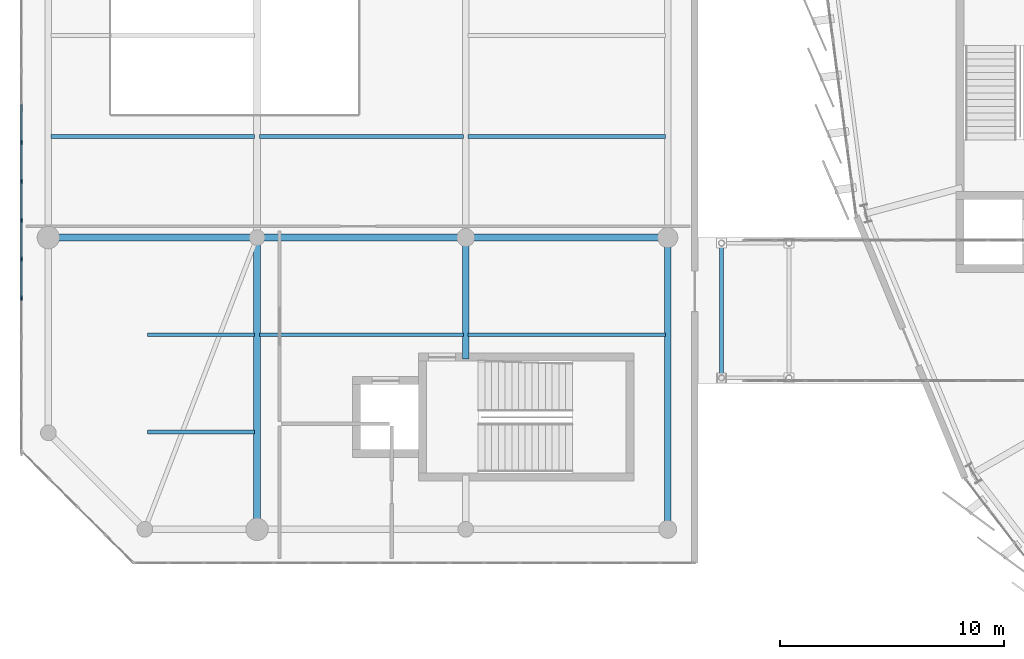
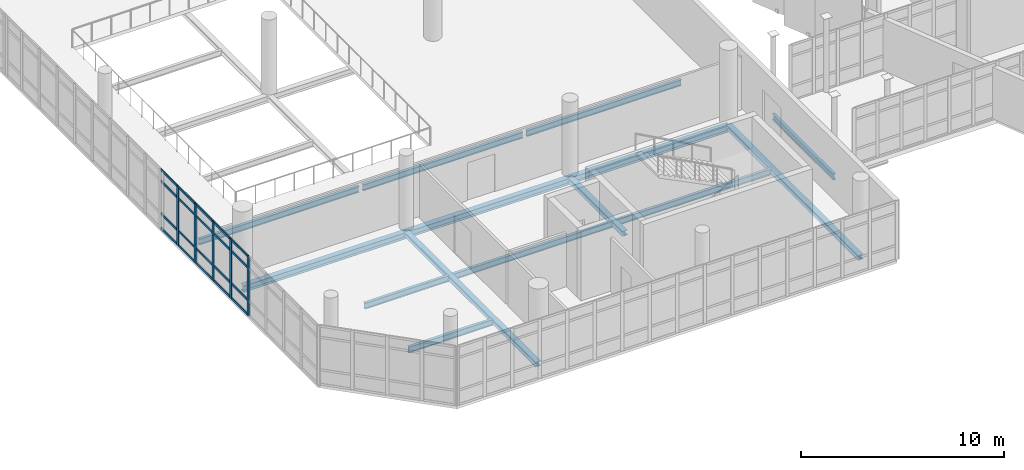
# One storey, part 28 of 125: 25 members, 14 beams, 1 element without a shape of its own.
"""IFC4 building model written with IfcOpenShell, lengths in metres."""

import ifcopenshell
import ifcopenshell.guid

model = None  # the IFC model being written
_history = None  # IfcOwnerHistory: only IFC2X3 demands one
_inside = {}  # id of a spatial element -> (the spatial element, [elements in it])
_under = {}  # id of a project, library or spatial element -> (it, [spatial elements below it])
_declared = {}  # id of a project -> (the project, [libraries it declares])
_typed = {}  # id of a type object -> (the type object, [elements of that type])
_made_of = {}  # id of a material, layer set ... -> (it, [elements and type objects made of it])


def new_model(schema):
    """Start an empty IFC model of exactly this schema.

    Asked for "IFC4X3", IfcOpenShell would pick the latest addendum, in which some entities
    have other attributes; the version numbers below select the first issue.
    IFC2X3 requires an IfcOwnerHistory on every rooted entity: one is made here for all.
    """
    global model, _history
    if schema == "IFC4X3":
        model = ifcopenshell.file(schema_version=(4, 3, 0, 0))
    else:
        model = ifcopenshell.file(schema=schema)
    _inside.clear()
    _under.clear()
    _declared.clear()
    _typed.clear()
    _made_of.clear()
    _history = None
    if model.schema == "IFC2X3":
        org = make("IfcOrganization", Name="unknown")
        user = make(
            "IfcPersonAndOrganization",
            ThePerson=make("IfcPerson", FamilyName="unknown"),
            TheOrganization=org,
        )
        app = make(
            "IfcApplication",
            ApplicationDeveloper=org,
            Version="unknown",
            ApplicationFullName="unknown",
            ApplicationIdentifier="unknown",
        )
        _history = make(
            "IfcOwnerHistory",
            OwningUser=user,
            OwningApplication=app,
            ChangeAction="ADDED",
            CreationDate=0,
        )
    return model


def make(cls, **values):
    """One entity of the class cls with the attributes given. An attribute that is None is left unset."""
    return model.create_entity(
        cls, **{name: value for name, value in values.items() if value is not None}
    )


def rooted(cls, **values):
    """An entity with a GlobalId (a new one), such as an element, a storey or a relation."""
    return make(cls, GlobalId=ifcopenshell.guid.new(), OwnerHistory=_history, **values)


def si_unit(unit_type, name, prefix=None):
    """IfcSIUnit, for example si_unit("LENGTHUNIT", "METRE", prefix="MILLI")."""
    return make("IfcSIUnit", UnitType=unit_type, Prefix=prefix, Name=name)


def assignment(units):
    """IfcUnitAssignment: the units of a project."""
    return None if units is None else make("IfcUnitAssignment", Units=units)


def point(xyz):
    """IfcCartesianPoint."""
    return None if xyz is None else make("IfcCartesianPoint", Coordinates=xyz)


def direction(xyz):
    """IfcDirection."""
    return None if xyz is None else make("IfcDirection", DirectionRatios=xyz)


def frame(location, z_axis=None, x_axis=None):
    """IfcAxis2Placement3D, a coordinate frame: its origin and axes. An axis left out is left unset."""
    return make(
        "IfcAxis2Placement3D",
        Location=point(location),
        Axis=direction(z_axis),
        RefDirection=direction(x_axis),
    )


def frame_2d(location, x_axis=None):
    """IfcAxis2Placement2D, a coordinate frame in the plane: its origin and x axis."""
    return make(
        "IfcAxis2Placement2D", Location=point(location), RefDirection=direction(x_axis)
    )


def origin():
    """The frame at (0, 0, 0) with its axes left unset."""
    return frame((0.0, 0.0, 0.0))


def origin_2d():
    """The frame at (0, 0) in the plane with its x axis left unset."""
    return frame_2d((0.0, 0.0))


def place(relative_to, where):
    """IfcLocalPlacement: puts the frame where relative to a parent placement (None: the world)."""
    return make(
        "IfcLocalPlacement", PlacementRelTo=relative_to, RelativePlacement=where
    )


def context(
    kind, dimensions, precision=None, world=None, true_north=None, identifier=None
):
    """IfcGeometricRepresentationContext, for example the 3D "Model" context."""
    return make(
        "IfcGeometricRepresentationContext",
        ContextIdentifier=identifier,
        ContextType=kind,
        CoordinateSpaceDimension=dimensions,
        Precision=precision,
        WorldCoordinateSystem=world,
        TrueNorth=true_north,
    )


def subcontext(parent, identifier, kind, view, scale=None):
    """IfcGeometricRepresentationSubContext, for example "Body" below "Model"."""
    return make(
        "IfcGeometricRepresentationSubContext",
        ContextIdentifier=identifier,
        ContextType=kind,
        ParentContext=parent,
        TargetScale=scale,
        TargetView=view,
    )


def project(units=None, contexts=None):
    """IfcProject with its units and contexts."""
    return rooted(
        "IfcProject",
        Name="project",
        RepresentationContexts=contexts,
        UnitsInContext=assignment(units),
    )


def spatial(cls, under=None, at=None, **own):
    """A site, building, storey or space (cls), placed at a placement, below another one or the project."""
    s = rooted(cls, ObjectPlacement=at, **own)
    if under is not None:
        _under.setdefault(under.id(), (under, []))[1].append(s)
    return s


def profile(cls, at=None, kind="AREA", **sizes):
    """A parametric profile (cls). Its sizes go by their IFC names, for example OverallWidth=200.0."""
    return make(cls, ProfileType=kind, Position=at, **sizes)


def rectangle(**sizes):
    """IfcRectangleProfileDef."""
    return profile("IfcRectangleProfileDef", **sizes)


def i_section(**sizes):
    """IfcIShapeProfileDef."""
    return profile("IfcIShapeProfileDef", **sizes)


def extrude(swept, where, along, depth):
    """IfcExtrudedAreaSolid: the profile swept, set in the frame where, extruded along a direction by depth."""
    return make(
        "IfcExtrudedAreaSolid",
        SweptArea=swept,
        Position=where,
        ExtrudedDirection=direction(along),
        Depth=depth,
    )


def shape(context_of_items, identifier, shape_type, items):
    """IfcShapeRepresentation: the items that make up one representation, for example the "Body"."""
    return make(
        "IfcShapeRepresentation",
        ContextOfItems=context_of_items,
        RepresentationIdentifier=identifier,
        RepresentationType=shape_type,
        Items=items,
    )


def material(Name=None, Category=None):
    """IfcMaterial."""
    return make("IfcMaterial", Name=Name, Category=Category)


def layer(
    of_material, thickness, ventilated=None, Name=None, Category=None, Priority=None
):
    """IfcMaterialLayer: one layer of a wall or slab, of a material (None: an air gap)."""
    return make(
        "IfcMaterialLayer",
        Material=of_material,
        LayerThickness=thickness,
        IsVentilated=ventilated,
        Name=Name,
        Category=Category,
        Priority=Priority,
    )


def layer_set(layers, Name=None):
    """IfcMaterialLayerSet."""
    return make("IfcMaterialLayerSet", MaterialLayers=layers, LayerSetName=Name)


def material_profile(
    of_material, cross_section, Name=None, Category=None, Priority=None
):
    """IfcMaterialProfile: a cross section and its material."""
    return make(
        "IfcMaterialProfile",
        Name=Name,
        Material=of_material,
        Profile=cross_section,
        Priority=Priority,
        Category=Category,
    )


def profile_set(profiles, Name=None, composite=None):
    """IfcMaterialProfileSet."""
    return make(
        "IfcMaterialProfileSet",
        Name=Name,
        MaterialProfiles=profiles,
        CompositeProfile=composite,
    )


def made_of(thing, what):
    """Note that an element or type object is made of a material, layer set ...; save() writes the relation."""
    if what is not None:
        _made_of.setdefault(what.id(), (what, []))[1].append(thing)
    return thing


def type_object(cls, material=None, **own):
    """A type object (cls), such as IfcWallType, which elements share."""
    return made_of(rooted(cls, **own), material)


def element(
    cls,
    number,
    at=None,
    inside=None,
    cuts=None,
    type_object=None,
    material=None,
    context=None,
    identifier="Body",
    shape_type=None,
    held_by="IfcProductDefinitionShape",
    body=None,
    shapes=None,
    **own,
):
    """One element of the class cls, such as IfcWall. Its Tag is "e" and its number.

    at: its placement. inside: the storey or other place that contains it. cuts: it is an
    opening in that element (IfcRelVoidsElement). A single representation is given by context,
    identifier, shape_type and body (its items); several are given by shapes. held_by: the class
    of the entity that holds the representations. save() writes the other relations.
    """
    e = rooted(cls, Tag="e%d" % number, ObjectPlacement=at, **own)
    if body is not None:
        shapes = [shape(context, identifier, shape_type, body)]
    if shapes is not None:
        e.Representation = make(held_by, Representations=shapes)
    if inside is not None:
        _inside.setdefault(inside.id(), (inside, []))[1].append(e)
    if cuts is not None:
        rooted(
            "IfcRelVoidsElement", RelatingBuildingElement=cuts, RelatedOpeningElement=e
        )
    if type_object is not None:
        _typed.setdefault(type_object.id(), (type_object, []))[1].append(e)
    return made_of(e, material)


def aggregate(whole, parts):
    """IfcRelAggregates: a whole, such as a stair, and the parts it consists of."""
    return rooted("IfcRelAggregates", RelatingObject=whole, RelatedObjects=parts)


def save(model, path):
    """Write the relations noted so far, then the file.

    IfcRelAggregates (storeys below a building ...), IfcRelContainedInSpatialStructure (elements
    in a storey), IfcRelDefinesByType, IfcRelAssociatesMaterial and IfcRelDeclares: one each for
    every whole, place, type object, material and project.
    """
    for whole, parts in _under.values():
        aggregate(whole, parts)
    for where, things in _inside.values():
        rooted(
            "IfcRelContainedInSpatialStructure",
            RelatedElements=things,
            RelatingStructure=where,
        )
    for kind, things in _typed.values():
        rooted("IfcRelDefinesByType", RelatedObjects=things, RelatingType=kind)
    for what, things in _made_of.values():
        rooted("IfcRelAssociatesMaterial", RelatedObjects=things, RelatingMaterial=what)
    for by, libraries in _declared.values():
        rooted("IfcRelDeclares", RelatingContext=by, RelatedDefinitions=libraries)
    model.write(path)


model = new_model("IFC4")

# Units and contexts
model_context = context("Model", 3, precision=1e-05, world=origin(), true_north=direction((0.0, 1.0)))
body_context = subcontext(model_context, "Body", "Model", "MODEL_VIEW")
ifc_project = project(units=[si_unit("LENGTHUNIT", "METRE"), si_unit("AREAUNIT", "SQUARE_METRE"), si_unit("VOLUMEUNIT", "CUBIC_METRE"), si_unit("PLANEANGLEUNIT", "RADIAN"), si_unit("MASSUNIT", "GRAM", prefix="KILO")], contexts=[model_context])

# Site, building, storey
site_placement = place(None, origin())
site = spatial("IfcSite", under=ifc_project, at=site_placement, CompositionType="ELEMENT")
building_placement = place(site_placement, origin())
building = spatial("IfcBuilding", under=site, at=building_placement, Name="Sohan Crest Arena", CompositionType="ELEMENT")
storey_placement = place(building_placement, frame((0.0, 0.0, 9.0)))
storey = spatial("IfcBuildingStorey", under=building, at=storey_placement, Name="L02", CompositionType="ELEMENT", Elevation=9.0)

# Curtain wall, members
ifc_material_1 = material(Name="Thermally broken anodised aluminium", Category="aluminium")
ifc_layer = layer(ifc_material_1, 0.219970703125, Name="Thermally broken anodised aluminium")
ifc_layer_set = layer_set([ifc_layer], Name="Thermally broken anodised aluminium")
curtain_wall_type = type_object("IfcCurtainWallType", Name="ARC-CW03", PredefinedType="NOTDEFINED", material=ifc_layer_set)
curtain_wall_placement = place(storey_placement, origin())
curtain_wall = element("IfcCurtainWall", 1, at=curtain_wall_placement, inside=storey, type_object=curtain_wall_type, Name="Unitised curtain wall CW-218", PredefinedType="NOTDEFINED")
ifc_material_profile_1 = material_profile(ifc_material_1, rectangle(XDim=0.070068359375, YDim=0.199951171875, at=origin_2d()), Name="ALU-MULL 70x200")
ifc_profile_set_1 = profile_set([ifc_material_profile_1], Name="Thermally broken anodised aluminium")
member_type_1 = type_object("IfcMemberType", Name="ARC-CW-ML03", PredefinedType="MULLION", material=ifc_profile_set_1)
member_1_placement = place(storey_placement, frame((14.0, 68.74609375, 0.0), z_axis=(0.0, 0.0, 1.0), x_axis=(1.0, 0.0, 0.0)))
member_1 = element("IfcMember", 2, at=member_1_placement, type_object=member_type_1, Name="CW-218 mullion 2", PredefinedType="MULLION", context=body_context, shape_type="SweptSolid", body=[
    extrude(rectangle(XDim=0.070068359375, YDim=0.199951171875, at=origin_2d()), origin(), (0.0, 0.0, 1.0), 3.550048828125),
])
member_2_placement = place(storey_placement, frame((14.0, 67.009033203125, 0.0), z_axis=(0.0, 0.0, 1.0), x_axis=(1.0, 0.0, 0.0)))
member_2 = element("IfcMember", 3, at=member_2_placement, type_object=member_type_1, Name="CW-218 mullion 3", PredefinedType="MULLION", context=body_context, shape_type="SweptSolid", body=[
    extrude(rectangle(XDim=0.070068359375, YDim=0.199951171875, at=origin_2d()), origin(), (0.0, 0.0, 1.0), 3.550048828125),
])
member_3_placement = place(storey_placement, frame((14.0, 65.27197265625, 0.0), z_axis=(0.0, 0.0, 1.0), x_axis=(1.0, 0.0, 0.0)))
member_3 = element("IfcMember", 4, at=member_3_placement, type_object=member_type_1, Name="CW-218 mullion 4", PredefinedType="MULLION", context=body_context, shape_type="SweptSolid", body=[
    extrude(rectangle(XDim=0.070068359375, YDim=0.199951171875, at=origin_2d()), origin(), (0.0, 0.0, 1.0), 3.550048828125),
])
member_4_placement = place(storey_placement, frame((14.0, 63.534912109375, 0.0), z_axis=(0.0, 0.0, 1.0), x_axis=(1.0, 0.0, 0.0)))
member_4 = element("IfcMember", 5, at=member_4_placement, type_object=member_type_1, Name="CW-218 mullion 5", PredefinedType="MULLION", context=body_context, shape_type="SweptSolid", body=[
    extrude(rectangle(XDim=0.070068359375, YDim=0.199951171875, at=origin_2d()), origin(), (0.0, 0.0, 1.0), 3.550048828125),
])
member_5_placement = place(storey_placement, frame((14.0, 61.798095703125, 0.0), z_axis=(0.0, 0.0, 1.0), x_axis=(1.0, 0.0, 0.0)))
member_5 = element("IfcMember", 6, at=member_5_placement, type_object=member_type_1, Name="CW-218 mullion 6", PredefinedType="MULLION", context=body_context, shape_type="SweptSolid", body=[
    extrude(rectangle(XDim=0.070068359375, YDim=0.199951171875, at=origin_2d()), origin(), (0.0, 0.0, 1.0), 3.550048828125),
])
ifc_material_profile_2 = material_profile(ifc_material_1, rectangle(XDim=0.06494140625, YDim=0.139892578125, at=origin_2d()), Name="ALU-TRAN 65x140")
ifc_profile_set_2 = profile_set([ifc_material_profile_2], Name="Thermally broken anodised aluminium")
member_type_2 = type_object("IfcMemberType", Name="ARC-CW-TR02", PredefinedType="USERDEFINED", material=ifc_profile_set_2)
member_6_placement = place(storey_placement, frame((14.0, 70.4130859375, 0.032470703125), z_axis=(0.0, -1.0, 0.0), x_axis=(1.0, 0.0, 0.0)))
member_6 = element("IfcMember", 7, at=member_6_placement, type_object=member_type_2, Name="CW-218 transom 1.1", ObjectType="TRANSOM", PredefinedType="USERDEFINED", context=body_context, shape_type="SweptSolid", body=[
    extrude(rectangle(XDim=0.06494140625, YDim=0.139892578125, at=origin_2d()), origin(), (0.0, 0.0, 1.0), 1.632080078125),
])
member_7_placement = place(storey_placement, frame((14.0, 70.4130859375, 0.89990234375), z_axis=(0.0, -1.0, 0.0), x_axis=(1.0, 0.0, 0.0)))
member_7 = element("IfcMember", 8, at=member_7_placement, type_object=member_type_2, Name="CW-218 transom 1.2", ObjectType="TRANSOM", PredefinedType="USERDEFINED", context=body_context, shape_type="SweptSolid", body=[
    extrude(rectangle(XDim=0.06494140625, YDim=0.139892578125, at=origin_2d()), origin(), (0.0, 0.0, 1.0), 1.632080078125),
])
member_8_placement = place(storey_placement, frame((14.0, 70.4130859375, 2.85009765625), z_axis=(0.0, -1.0, 0.0), x_axis=(1.0, 0.0, 0.0)))
member_8 = element("IfcMember", 9, at=member_8_placement, type_object=member_type_2, Name="CW-218 transom 1.3", ObjectType="TRANSOM", PredefinedType="USERDEFINED", context=body_context, shape_type="SweptSolid", body=[
    extrude(rectangle(XDim=0.06494140625, YDim=0.139892578125, at=origin_2d()), origin(), (0.0, 0.0, 1.0), 1.632080078125),
])
member_9_placement = place(storey_placement, frame((14.0, 70.4130859375, 3.517578125), z_axis=(0.0, -1.0, 0.0), x_axis=(1.0, 0.0, 0.0)))
member_9 = element("IfcMember", 10, at=member_9_placement, type_object=member_type_2, Name="CW-218 transom 1.4", ObjectType="TRANSOM", PredefinedType="USERDEFINED", context=body_context, shape_type="SweptSolid", body=[
    extrude(rectangle(XDim=0.06494140625, YDim=0.139892578125, at=origin_2d()), origin(), (0.0, 0.0, 1.0), 1.632080078125),
])
member_10_placement = place(storey_placement, frame((14.0, 68.7109375, 0.032470703125), z_axis=(0.0, -1.0, 0.0), x_axis=(1.0, 0.0, 0.0)))
member_10 = element("IfcMember", 11, at=member_10_placement, type_object=member_type_2, Name="CW-218 transom 2.1", ObjectType="TRANSOM", PredefinedType="USERDEFINED", context=body_context, shape_type="SweptSolid", body=[
    extrude(rectangle(XDim=0.06494140625, YDim=0.139892578125, at=origin_2d()), origin(), (0.0, 0.0, 1.0), 1.6669921875),
])
member_11_placement = place(storey_placement, frame((14.0, 68.7109375, 0.89990234375), z_axis=(0.0, -1.0, 0.0), x_axis=(1.0, 0.0, 0.0)))
member_11 = element("IfcMember", 12, at=member_11_placement, type_object=member_type_2, Name="CW-218 transom 2.2", ObjectType="TRANSOM", PredefinedType="USERDEFINED", context=body_context, shape_type="SweptSolid", body=[
    extrude(rectangle(XDim=0.06494140625, YDim=0.139892578125, at=origin_2d()), origin(), (0.0, 0.0, 1.0), 1.6669921875),
])
member_12_placement = place(storey_placement, frame((14.0, 68.7109375, 2.85009765625), z_axis=(0.0, -1.0, 0.0), x_axis=(1.0, 0.0, 0.0)))
member_12 = element("IfcMember", 13, at=member_12_placement, type_object=member_type_2, Name="CW-218 transom 2.3", ObjectType="TRANSOM", PredefinedType="USERDEFINED", context=body_context, shape_type="SweptSolid", body=[
    extrude(rectangle(XDim=0.06494140625, YDim=0.139892578125, at=origin_2d()), origin(), (0.0, 0.0, 1.0), 1.6669921875),
])
member_13_placement = place(storey_placement, frame((14.0, 68.7109375, 3.517578125), z_axis=(0.0, -1.0, 0.0), x_axis=(1.0, 0.0, 0.0)))
member_13 = element("IfcMember", 14, at=member_13_placement, type_object=member_type_2, Name="CW-218 transom 2.4", ObjectType="TRANSOM", PredefinedType="USERDEFINED", context=body_context, shape_type="SweptSolid", body=[
    extrude(rectangle(XDim=0.06494140625, YDim=0.139892578125, at=origin_2d()), origin(), (0.0, 0.0, 1.0), 1.6669921875),
])
member_14_placement = place(storey_placement, frame((14.0, 66.97412109375, 0.032470703125), z_axis=(0.0, -1.0, 0.0), x_axis=(1.0, 0.0, 0.0)))
member_14 = element("IfcMember", 15, at=member_14_placement, type_object=member_type_2, Name="CW-218 transom 3.1", ObjectType="TRANSOM", PredefinedType="USERDEFINED", context=body_context, shape_type="SweptSolid", body=[
    extrude(rectangle(XDim=0.06494140625, YDim=0.139892578125, at=origin_2d()), origin(), (0.0, 0.0, 1.0), 1.667236328125),
])
member_15_placement = place(storey_placement, frame((14.0, 66.97412109375, 0.89990234375), z_axis=(0.0, -1.0, 0.0), x_axis=(1.0, 0.0, 0.0)))
member_15 = element("IfcMember", 16, at=member_15_placement, type_object=member_type_2, Name="CW-218 transom 3.2", ObjectType="TRANSOM", PredefinedType="USERDEFINED", context=body_context, shape_type="SweptSolid", body=[
    extrude(rectangle(XDim=0.06494140625, YDim=0.139892578125, at=origin_2d()), origin(), (0.0, 0.0, 1.0), 1.667236328125),
])
member_16_placement = place(storey_placement, frame((14.0, 66.97412109375, 2.85009765625), z_axis=(0.0, -1.0, 0.0), x_axis=(1.0, 0.0, 0.0)))
member_16 = element("IfcMember", 17, at=member_16_placement, type_object=member_type_2, Name="CW-218 transom 3.3", ObjectType="TRANSOM", PredefinedType="USERDEFINED", context=body_context, shape_type="SweptSolid", body=[
    extrude(rectangle(XDim=0.06494140625, YDim=0.139892578125, at=origin_2d()), origin(), (0.0, 0.0, 1.0), 1.667236328125),
])
member_17_placement = place(storey_placement, frame((14.0, 66.97412109375, 3.517578125), z_axis=(0.0, -1.0, 0.0), x_axis=(1.0, 0.0, 0.0)))
member_17 = element("IfcMember", 18, at=member_17_placement, type_object=member_type_2, Name="CW-218 transom 3.4", ObjectType="TRANSOM", PredefinedType="USERDEFINED", context=body_context, shape_type="SweptSolid", body=[
    extrude(rectangle(XDim=0.06494140625, YDim=0.139892578125, at=origin_2d()), origin(), (0.0, 0.0, 1.0), 1.667236328125),
])
member_18_placement = place(storey_placement, frame((14.0, 65.237060546875, 0.032470703125), z_axis=(0.0, -1.0, 0.0), x_axis=(1.0, 0.0, 0.0)))
member_18 = element("IfcMember", 19, at=member_18_placement, type_object=member_type_2, Name="CW-218 transom 4.1", ObjectType="TRANSOM", PredefinedType="USERDEFINED", context=body_context, shape_type="SweptSolid", body=[
    extrude(rectangle(XDim=0.06494140625, YDim=0.139892578125, at=origin_2d()), origin(), (0.0, 0.0, 1.0), 1.6669921875),
])
member_19_placement = place(storey_placement, frame((14.0, 65.237060546875, 0.89990234375), z_axis=(0.0, -1.0, 0.0), x_axis=(1.0, 0.0, 0.0)))
member_19 = element("IfcMember", 20, at=member_19_placement, type_object=member_type_2, Name="CW-218 transom 4.2", ObjectType="TRANSOM", PredefinedType="USERDEFINED", context=body_context, shape_type="SweptSolid", body=[
    extrude(rectangle(XDim=0.06494140625, YDim=0.139892578125, at=origin_2d()), origin(), (0.0, 0.0, 1.0), 1.6669921875),
])
member_20_placement = place(storey_placement, frame((14.0, 65.237060546875, 2.85009765625), z_axis=(0.0, -1.0, 0.0), x_axis=(1.0, 0.0, 0.0)))
member_20 = element("IfcMember", 21, at=member_20_placement, type_object=member_type_2, Name="CW-218 transom 4.3", ObjectType="TRANSOM", PredefinedType="USERDEFINED", context=body_context, shape_type="SweptSolid", body=[
    extrude(rectangle(XDim=0.06494140625, YDim=0.139892578125, at=origin_2d()), origin(), (0.0, 0.0, 1.0), 1.6669921875),
])
member_21_placement = place(storey_placement, frame((14.0, 65.237060546875, 3.517578125), z_axis=(0.0, -1.0, 0.0), x_axis=(1.0, 0.0, 0.0)))
member_21 = element("IfcMember", 22, at=member_21_placement, type_object=member_type_2, Name="CW-218 transom 4.4", ObjectType="TRANSOM", PredefinedType="USERDEFINED", context=body_context, shape_type="SweptSolid", body=[
    extrude(rectangle(XDim=0.06494140625, YDim=0.139892578125, at=origin_2d()), origin(), (0.0, 0.0, 1.0), 1.6669921875),
])
member_22_placement = place(storey_placement, frame((14.0, 63.5, 0.032470703125), z_axis=(0.0, -1.0, 0.0), x_axis=(1.0, 0.0, 0.0)))
member_22 = element("IfcMember", 23, at=member_22_placement, type_object=member_type_2, Name="CW-218 transom 5.1", ObjectType="TRANSOM", PredefinedType="USERDEFINED", context=body_context, shape_type="SweptSolid", body=[
    extrude(rectangle(XDim=0.06494140625, YDim=0.139892578125, at=origin_2d()), origin(), (0.0, 0.0, 1.0), 1.6669921875),
])
member_23_placement = place(storey_placement, frame((14.0, 63.5, 0.89990234375), z_axis=(0.0, -1.0, 0.0), x_axis=(1.0, 0.0, 0.0)))
member_23 = element("IfcMember", 24, at=member_23_placement, type_object=member_type_2, Name="CW-218 transom 5.2", ObjectType="TRANSOM", PredefinedType="USERDEFINED", context=body_context, shape_type="SweptSolid", body=[
    extrude(rectangle(XDim=0.06494140625, YDim=0.139892578125, at=origin_2d()), origin(), (0.0, 0.0, 1.0), 1.6669921875),
])
member_24_placement = place(storey_placement, frame((14.0, 63.5, 2.85009765625), z_axis=(0.0, -1.0, 0.0), x_axis=(1.0, 0.0, 0.0)))
member_24 = element("IfcMember", 25, at=member_24_placement, type_object=member_type_2, Name="CW-218 transom 5.3", ObjectType="TRANSOM", PredefinedType="USERDEFINED", context=body_context, shape_type="SweptSolid", body=[
    extrude(rectangle(XDim=0.06494140625, YDim=0.139892578125, at=origin_2d()), origin(), (0.0, 0.0, 1.0), 1.6669921875),
])
member_25_placement = place(storey_placement, frame((14.0, 63.5, 3.517578125), z_axis=(0.0, -1.0, 0.0), x_axis=(1.0, 0.0, 0.0)))
member_25 = element("IfcMember", 26, at=member_25_placement, type_object=member_type_2, Name="CW-218 transom 5.4", ObjectType="TRANSOM", PredefinedType="USERDEFINED", context=body_context, shape_type="SweptSolid", body=[
    extrude(rectangle(XDim=0.06494140625, YDim=0.139892578125, at=origin_2d()), origin(), (0.0, 0.0, 1.0), 1.6669921875),
])
aggregate(curtain_wall, [member_1, member_2, member_3, member_4, member_5, member_6, member_7, member_8, member_9, member_10, member_11, member_12, member_13, member_14, member_15, member_16, member_17, member_18, member_19, member_20, member_21, member_22, member_23, member_24, member_25])

# Beams
ifc_material_2 = material(Name="Steel S355", Category="steel")
ifc_material_profile_3 = material_profile(ifc_material_2, i_section(OverallWidth=0.169921875, OverallDepth=0.360107421875, WebThickness=0.008056640625, FlangeThickness=0.0126953125, at=origin_2d()), Name="IPE 360")
ifc_profile_set_3 = profile_set([ifc_material_profile_3], Name="Steel S355")
beam_type_1 = type_object("IfcBeamType", Name="STR-BM-B02", PredefinedType="JOIST", material=ifc_profile_set_3)
for number, where, z_axis, x_axis, name in (
    (27, (19.610107421875, 55.8330078125, -0.389892578125), (1.0, 0.0, 0.0), (0.0, 1.0, 0.0), "Structural beam J-L02-2053"),
    (28, (19.610107421875, 60.1669921875, -0.389892578125), (1.0, 0.0, 0.0), (0.0, 1.0, 0.0), "Structural beam J-L02-2054"),
):
    element("IfcBeam", number, at=place(storey_placement, frame(where, z_axis=z_axis, x_axis=x_axis)), inside=storey, type_object=beam_type_1, Name=name, PredefinedType="JOIST", context=body_context, shape_type="SweptSolid", body=[
        extrude(i_section(OverallWidth=0.169921875, OverallDepth=0.360107421875, WebThickness=0.008056640625, FlangeThickness=0.0126953125, at=origin_2d()), origin(), (0.0, 0.0, 1.0), 4.77978515625),
    ])
beam_1_placement = place(storey_placement, frame((24.610107421875, 60.1669921875, -0.389892578125), z_axis=(1.0, 0.0, 0.0), x_axis=(0.0, 1.0, 0.0)))
element("IfcBeam", 29, at=beam_1_placement, inside=storey, type_object=beam_type_1, Name="Structural beam J-L02-2056", PredefinedType="JOIST", context=body_context, shape_type="SweptSolid", body=[
    extrude(i_section(OverallWidth=0.169921875, OverallDepth=0.360107421875, WebThickness=0.008056640625, FlangeThickness=0.0126953125, at=origin_2d()), origin(), (0.0, 0.0, 1.0), 9.079833984375),
])
beam_2_placement = place(storey_placement, frame((33.909912109375, 60.1669921875, -0.389892578125), z_axis=(1.0, 0.0, 0.0), x_axis=(0.0, 1.0, 0.0)))
element("IfcBeam", 30, at=beam_2_placement, inside=storey, type_object=beam_type_1, Name="Structural beam J-L02-2058", PredefinedType="JOIST", context=body_context, shape_type="SweptSolid", body=[
    extrude(i_section(OverallWidth=0.169921875, OverallDepth=0.360107421875, WebThickness=0.008056640625, FlangeThickness=0.0126953125, at=origin_2d()), origin(), (0.0, 0.0, 1.0), 8.780029296875),
])
for number, where, z_axis, x_axis, name in (
    (31, (15.31005859375, 69.0, -0.389892578125), (1.0, 0.0, 0.0), (0.0, 1.0, 0.0), "Structural beam J-L02-2060"),
    (32, (24.610107421875, 69.0, -0.389892578125), (1.0, 0.0, 0.0), (0.0, 1.0, 0.0), "Structural beam J-L02-2063"),
):
    element("IfcBeam", number, at=place(storey_placement, frame(where, z_axis=z_axis, x_axis=x_axis)), inside=storey, type_object=beam_type_1, Name=name, PredefinedType="JOIST", context=body_context, shape_type="SweptSolid", body=[
        extrude(i_section(OverallWidth=0.169921875, OverallDepth=0.360107421875, WebThickness=0.008056640625, FlangeThickness=0.0126953125, at=origin_2d()), origin(), (0.0, 0.0, 1.0), 9.079833984375),
    ])
beam_3_placement = place(storey_placement, frame((33.909912109375, 69.0, -0.389892578125), z_axis=(1.0, 0.0, 0.0), x_axis=(0.0, 1.0, 0.0)))
element("IfcBeam", 33, at=beam_3_placement, inside=storey, type_object=beam_type_1, Name="Structural beam J-L02-2065", PredefinedType="JOIST", context=body_context, shape_type="SweptSolid", body=[
    extrude(i_section(OverallWidth=0.169921875, OverallDepth=0.360107421875, WebThickness=0.008056640625, FlangeThickness=0.0126953125, at=origin_2d()), origin(), (0.0, 0.0, 1.0), 8.780029296875),
])
beam_4_placement = place(storey_placement, frame((45.199951171875, 58.25, -0.455078125), z_axis=(0.0, 1.0, 0.0), x_axis=(-1.0, 0.0, 0.0)))
element("IfcBeam", 34, at=beam_4_placement, inside=storey, type_object=beam_type_1, Name="Structural beam BG-L02-2930", PredefinedType="JOIST", context=body_context, shape_type="SweptSolid", body=[
    extrude(i_section(OverallWidth=0.169921875, OverallDepth=0.360107421875, WebThickness=0.008056640625, FlangeThickness=0.0126953125, at=origin_2d()), origin(), (0.0, 0.0, 1.0), 6.0),
])
ifc_material_profile_4 = material_profile(ifc_material_2, i_section(OverallWidth=0.300048828125, OverallDepth=0.2900390625, WebThickness=0.008544921875, FlangeThickness=0.013916015625, at=origin_2d()), Name="HEA 300")
ifc_profile_set_4 = profile_set([ifc_material_profile_4], Name="Steel S355")
beam_type_2 = type_object("IfcBeamType", Name="STR-BM-B08", PredefinedType="BEAM", material=ifc_profile_set_4)
beam_5_placement = place(storey_placement, frame((24.5, 51.5, -0.35498046875), z_axis=(0.0, 1.0, 0.0), x_axis=(-1.0, 0.0, 0.0)))
element("IfcBeam", 35, at=beam_5_placement, inside=storey, type_object=beam_type_2, Name="Structural beam G-L02-2038", PredefinedType="BEAM", context=body_context, shape_type="SweptSolid", body=[
    extrude(i_section(OverallWidth=0.300048828125, OverallDepth=0.2900390625, WebThickness=0.008544921875, FlangeThickness=0.013916015625, at=origin_2d()), origin(), (0.0, 0.0, 1.0), 13.0),
])
beam_6_placement = place(storey_placement, frame((33.800048828125, 59.080078125, -0.35498046875), z_axis=(0.0, 1.0, 0.0), x_axis=(-1.0, 0.0, 0.0)))
element("IfcBeam", 36, at=beam_6_placement, inside=storey, type_object=beam_type_2, Name="Structural beam G-L02-2043", PredefinedType="BEAM", context=body_context, shape_type="SweptSolid", body=[
    extrude(i_section(OverallWidth=0.300048828125, OverallDepth=0.2900390625, WebThickness=0.008544921875, FlangeThickness=0.013916015625, at=origin_2d()), origin(), (0.0, 0.0, 1.0), 5.419921875),
])
beam_7_placement = place(storey_placement, frame((42.800048828125, 51.5, -0.35498046875), z_axis=(0.0, 1.0, 0.0), x_axis=(-1.0, 0.0, 0.0)))
element("IfcBeam", 37, at=beam_7_placement, inside=storey, type_object=beam_type_2, Name="Structural beam G-L02-2048", PredefinedType="BEAM", context=body_context, shape_type="SweptSolid", body=[
    extrude(i_section(OverallWidth=0.300048828125, OverallDepth=0.2900390625, WebThickness=0.008544921875, FlangeThickness=0.013916015625, at=origin_2d()), origin(), (0.0, 0.0, 1.0), 13.0),
])
ifc_material_profile_5 = material_profile(ifc_material_2, i_section(OverallWidth=0.300048828125, OverallDepth=0.389892578125, WebThickness=0.010986328125, FlangeThickness=0.01904296875, at=origin_2d()), Name="HEA 400")
ifc_profile_set_5 = profile_set([ifc_material_profile_5], Name="Steel S355")
beam_type_3 = type_object("IfcBeamType", Name="STR-BM-B09", PredefinedType="BEAM", material=ifc_profile_set_5)
for number, where, z_axis, x_axis, name in (
    (38, (15.199951171875, 64.5, -0.405029296875), (1.0, 0.0, 0.0), (0.0, 1.0, 0.0), "Structural beam G-L02-2059"),
    (39, (24.5, 64.5, -0.405029296875), (1.0, 0.0, 0.0), (0.0, 1.0, 0.0), "Structural beam G-L02-2062"),
):
    element("IfcBeam", number, at=place(storey_placement, frame(where, z_axis=z_axis, x_axis=x_axis)), inside=storey, type_object=beam_type_3, Name=name, PredefinedType="BEAM", context=body_context, shape_type="SweptSolid", body=[
        extrude(i_section(OverallWidth=0.300048828125, OverallDepth=0.389892578125, WebThickness=0.010986328125, FlangeThickness=0.01904296875, at=origin_2d()), origin(), (0.0, 0.0, 1.0), 9.300048828125),
    ])
beam_8_placement = place(storey_placement, frame((33.800048828125, 64.5, -0.405029296875), z_axis=(1.0, 0.0, 0.0), x_axis=(0.0, 1.0, 0.0)))
element("IfcBeam", 40, at=beam_8_placement, inside=storey, type_object=beam_type_3, Name="Structural beam G-L02-2064", PredefinedType="BEAM", context=body_context, shape_type="SweptSolid", body=[
    extrude(i_section(OverallWidth=0.300048828125, OverallDepth=0.389892578125, WebThickness=0.010986328125, FlangeThickness=0.01904296875, at=origin_2d()), origin(), (0.0, 0.0, 1.0), 9.0),
])

save(model, "model.ifc")
